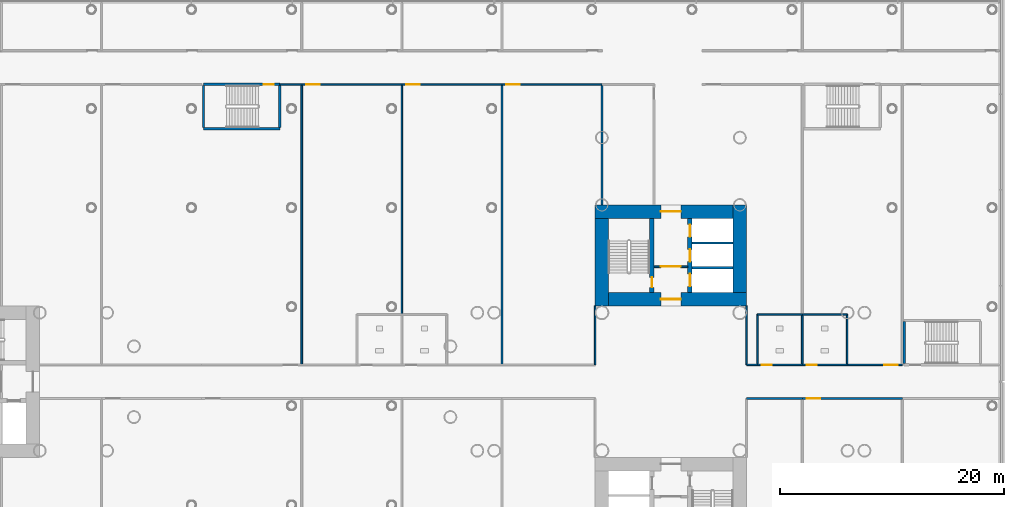
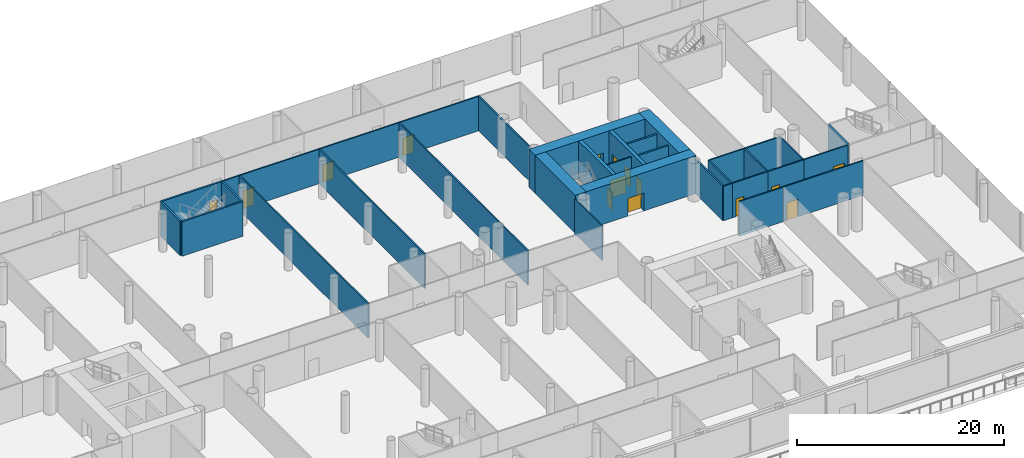
# One storey, part 22 of 51: 35 walls, 15 doors, 15 openings.
"""IFC4 building model written with IfcOpenShell, lengths in metres."""

from ifc_helpers import new_model, si_unit, direction, frame, frame_2d, origin, place, context, subcontext, project, spatial, rectangle, extrude, material, layer, layer_set, type_object, element, fill, save


model = new_model("IFC4")

# Units and contexts
model_context = context("Model", 3, precision=1e-05, world=origin(), true_north=direction((0.0, 1.0)))
body_context = subcontext(model_context, "Body", "Model", "MODEL_VIEW")
ifc_project = project(units=[si_unit("LENGTHUNIT", "METRE"), si_unit("AREAUNIT", "SQUARE_METRE"), si_unit("VOLUMEUNIT", "CUBIC_METRE"), si_unit("PLANEANGLEUNIT", "RADIAN"), si_unit("MASSUNIT", "GRAM", prefix="KILO")], contexts=[model_context])

# Site, building, storey
site_placement = place(None, origin())
site = spatial("IfcSite", under=ifc_project, at=site_placement, CompositionType="ELEMENT")
building_placement = place(site_placement, origin())
building = spatial("IfcBuilding", under=site, at=building_placement, Name="Ipe Terrace Towers", CompositionType="ELEMENT")
storey_placement = place(building_placement, frame((0.0, 0.0, 15.5)))
storey = spatial("IfcBuildingStorey", under=building, at=storey_placement, Name="L03", CompositionType="ELEMENT", Elevation=15.5)

# Wall, opening, door
ifc_material_1 = material(Name="Gypsum board partition", Category="plasterboard")
ifc_layer_1 = layer(ifc_material_1, 0.14990234375)
ifc_layer_set_1 = layer_set([ifc_layer_1], Name="Gypsum board partition 150 mm")
wall_type_1 = type_object("IfcWallType", Name="Gypsum board partition 150 mm", PredefinedType="PARTITIONING", material=ifc_layer_set_1)
wall_1_placement = place(storey_placement, frame((37.5, 10.25, 0.0), z_axis=(0.0, 0.0, 1.0), x_axis=(-1.0, 0.0, 0.0)))
wall_1 = element("IfcWall", 1, at=wall_1_placement, inside=storey, type_object=wall_type_1, Name="Gypsum board partition T2 L03 t2c1-lobby-wall", PredefinedType="PARTITIONING", context=body_context, shape_type="SweptSolid", body=[
    extrude(rectangle(XDim=3.0, YDim=0.14990234375, at=frame_2d((1.5, 0.0))), origin(), (0.0, 0.0, 1.0), 4.080078125),
])
opening_1_placement = place(wall_1_placement, frame((0.60009765625, 0.0, 0.0)))
opening_1 = element("IfcOpeningElement", 2, at=opening_1_placement, cuts=wall_1, Name="Opening T2C1-VD", PredefinedType="OPENING", context=body_context, shape_type="SweptSolid", body=[
    extrude(rectangle(XDim=1.800048828125, YDim=2.10009765625, at=frame_2d((0.89990234375, 1.050048828125))), frame((0.0, 0.0849609375, 0.0), z_axis=(0.0, -1.0, 0.0), x_axis=(1.0, 0.0, 0.0)), (0.0, 0.0, 1.0), 0.169921875),
])
ifc_material_2 = material(Name="Fire-rated timber door leaf", Category="wood")
door_type_1 = type_object("IfcDoorType", Name="Lobby door 1800 x 2100 FD60", OperationType="NOTDEFINED", PredefinedType="DOOR", material=ifc_material_2)
door_1_placement = place(opening_1_placement, origin())
door_1 = element("IfcDoor", 3, at=door_1_placement, inside=storey, type_object=door_type_1, Name="Lobby door T2C1-VD", OperationType="SINGLE_SWING_LEFT", OverallHeight=2.10009765625, OverallWidth=1.800048828125, PredefinedType="DOOR", context=body_context, shape_type="SweptSolid", body=[
    extrude(rectangle(XDim=1.800048828125, YDim=2.10009765625, at=frame_2d((0.89990234375, 1.050048828125))), frame((0.0, 0.02490234375, 0.0), z_axis=(0.0, -1.0, 0.0), x_axis=(1.0, 0.0, 0.0)), (0.0, 0.0, 1.0), 0.050048828125),
])
fill(opening_1, door_1)

# Walls
wall_2_placement = place(storey_placement, frame((1.14990234375, 26.5, 0.0), z_axis=(0.0, 0.0, 1.0), x_axis=(1.0, 0.0, 0.0)))
element("IfcWall", 4, at=wall_2_placement, inside=storey, type_object=wall_type_1, Name="Gypsum board partition T2 L03 pd-r31-w7", PredefinedType="PARTITIONING", context=body_context, shape_type="SweptSolid", body=[
    extrude(rectangle(XDim=1.960205078125, YDim=0.14990234375, at=frame_2d((0.97998046875, 0.0))), origin(), (0.0, 0.0, 1.0), 4.080078125),
])
wall_3_placement = place(storey_placement, frame((3.110107421875, 26.5, 0.0), z_axis=(0.0, 0.0, 1.0), x_axis=(0.0, -1.0, 0.0)))
element("IfcWall", 5, at=wall_3_placement, inside=storey, type_object=wall_type_1, Name="Gypsum board partition T2 L03 pd-r31-r32-w9", PredefinedType="PARTITIONING", context=body_context, shape_type="SweptSolid", body=[
    extrude(rectangle(XDim=25.0, YDim=0.14990234375, at=frame_2d((12.5, 0.0))), origin(), (0.0, 0.0, 1.0), 4.080078125),
])

# Wall, opening, door
wall_4_placement = place(storey_placement, frame((3.110107421875, 26.5, 0.0), z_axis=(0.0, 0.0, 1.0), x_axis=(1.0, 0.0, 0.0)))
wall_4 = element("IfcWall", 6, at=wall_4_placement, inside=storey, type_object=wall_type_1, Name="Gypsum board partition T2 L03 pd-r32-w11", PredefinedType="PARTITIONING", context=body_context, shape_type="SweptSolid", body=[
    extrude(rectangle(XDim=8.919921875, YDim=0.14990234375, at=frame_2d((4.4599609375, 0.0))), origin(), (0.0, 0.0, 1.0), 4.080078125),
])
opening_2_placement = place(wall_4_placement, frame((0.39990234375, 0.0, 0.0)))
opening_2 = element("IfcOpeningElement", 7, at=opening_2_placement, cuts=wall_4, Name="Opening PD-L03-r32", PredefinedType="OPENING", context=body_context, shape_type="SweptSolid", body=[
    extrude(rectangle(XDim=1.199951171875, YDim=2.10009765625, at=frame_2d((0.60009765625, 1.050048828125))), frame((0.0, 0.0849609375, 0.0), z_axis=(0.0, -1.0, 0.0), x_axis=(1.0, 0.0, 0.0)), (0.0, 0.0, 1.0), 0.169921875),
])
ifc_material_3 = material(Name="Fire-rated timber door leaf", Category="wood")
door_type_2 = type_object("IfcDoorType", Name="Lounge door 1200 x 2100 FD30S", OperationType="NOTDEFINED", PredefinedType="DOOR", material=ifc_material_3)
door_2_placement = place(opening_2_placement, origin())
door_2 = element("IfcDoor", 8, at=door_2_placement, inside=storey, type_object=door_type_2, Name="Lounge door PD-L03-r32", OperationType="SINGLE_SWING_RIGHT", OverallHeight=2.10009765625, OverallWidth=1.199951171875, PredefinedType="DOOR", context=body_context, shape_type="SweptSolid", body=[
    extrude(rectangle(XDim=1.199951171875, YDim=2.10009765625, at=frame_2d((0.60009765625, 1.050048828125))), frame((0.0, 0.02490234375, 0.0), z_axis=(0.0, -1.0, 0.0), x_axis=(1.0, 0.0, 0.0)), (0.0, 0.0, 1.0), 0.050048828125),
])
fill(opening_2, door_2)

# Wall
wall_5_placement = place(storey_placement, frame((12.030029296875, 26.5, 0.0), z_axis=(0.0, 0.0, 1.0), x_axis=(0.0, -1.0, 0.0)))
element("IfcWall", 9, at=wall_5_placement, inside=storey, type_object=wall_type_1, Name="Gypsum board partition T2 L03 pd-r32-r39-w12", PredefinedType="PARTITIONING", context=body_context, shape_type="SweptSolid", body=[
    extrude(rectangle(XDim=20.5, YDim=0.14990234375, at=frame_2d((10.25, 0.0))), origin(), (0.0, 0.0, 1.0), 4.080078125),
])

# Wall, opening, door
wall_6_placement = place(storey_placement, frame((12.030029296875, 26.5, 0.0), z_axis=(0.0, 0.0, 1.0), x_axis=(1.0, 0.0, 0.0)))
wall_6 = element("IfcWall", 10, at=wall_6_placement, inside=storey, type_object=wall_type_1, Name="Gypsum board partition T2 L03 pd-r39-w27", PredefinedType="PARTITIONING", context=body_context, shape_type="SweptSolid", body=[
    extrude(rectangle(XDim=8.919921875, YDim=0.14990234375, at=frame_2d((4.4599609375, 0.0))), origin(), (0.0, 0.0, 1.0), 4.080078125),
])
opening_3_placement = place(wall_6_placement, frame((0.39990234375, 0.0, 0.0)))
opening_3 = element("IfcOpeningElement", 11, at=opening_3_placement, cuts=wall_6, Name="Opening PD-L03-r39", PredefinedType="OPENING", context=body_context, shape_type="SweptSolid", body=[
    extrude(rectangle(XDim=1.199951171875, YDim=2.10009765625, at=frame_2d((0.60009765625, 1.050048828125))), frame((0.0, 0.0849609375, 0.0), z_axis=(0.0, -1.0, 0.0), x_axis=(1.0, 0.0, 0.0)), (0.0, 0.0, 1.0), 0.169921875),
])
door_3_placement = place(opening_3_placement, origin())
door_3 = element("IfcDoor", 12, at=door_3_placement, inside=storey, type_object=door_type_2, Name="Lounge door PD-L03-r39", OperationType="SINGLE_SWING_RIGHT", OverallHeight=2.10009765625, OverallWidth=1.199951171875, PredefinedType="DOOR", context=body_context, shape_type="SweptSolid", body=[
    extrude(rectangle(XDim=1.199951171875, YDim=2.10009765625, at=frame_2d((0.60009765625, 1.050048828125))), frame((0.0, 0.02490234375, 0.0), z_axis=(0.0, -1.0, 0.0), x_axis=(1.0, 0.0, 0.0)), (0.0, 0.0, 1.0), 0.050048828125),
])
fill(opening_3, door_3)

# Wall
wall_7_placement = place(storey_placement, frame((20.949951171875, 26.5, 0.0), z_axis=(0.0, 0.0, 1.0), x_axis=(0.0, -1.0, 0.0)))
element("IfcWall", 13, at=wall_7_placement, inside=storey, type_object=wall_type_1, Name="Gypsum board partition T2 L03 pd-r39-r41-w29", PredefinedType="PARTITIONING", context=body_context, shape_type="SweptSolid", body=[
    extrude(rectangle(XDim=25.0, YDim=0.14990234375, at=frame_2d((12.5, 0.0))), origin(), (0.0, 0.0, 1.0), 4.080078125),
])

# Wall, opening, door
wall_8_placement = place(storey_placement, frame((20.949951171875, 26.5, 0.0), z_axis=(0.0, 0.0, 1.0), x_axis=(1.0, 0.0, 0.0)))
wall_8 = element("IfcWall", 14, at=wall_8_placement, inside=storey, type_object=wall_type_1, Name="Gypsum board partition T2 L03 pd-r41-w34", PredefinedType="PARTITIONING", context=body_context, shape_type="SweptSolid", body=[
    extrude(rectangle(XDim=8.920166015625, YDim=0.14990234375, at=frame_2d((4.4599609375, 0.0))), origin(), (0.0, 0.0, 1.0), 4.080078125),
])
opening_4_placement = place(wall_8_placement, frame((0.39990234375, 0.0, 0.0)))
opening_4 = element("IfcOpeningElement", 15, at=opening_4_placement, cuts=wall_8, Name="Opening PD-L03-r41", PredefinedType="OPENING", context=body_context, shape_type="SweptSolid", body=[
    extrude(rectangle(XDim=1.199951171875, YDim=2.10009765625, at=frame_2d((0.60009765625, 1.050048828125))), frame((0.0, 0.0849609375, 0.0), z_axis=(0.0, -1.0, 0.0), x_axis=(1.0, 0.0, 0.0)), (0.0, 0.0, 1.0), 0.169921875),
])
door_4_placement = place(opening_4_placement, origin())
door_4 = element("IfcDoor", 16, at=door_4_placement, inside=storey, type_object=door_type_2, Name="Lounge door PD-L03-r41", OperationType="SINGLE_SWING_RIGHT", OverallHeight=2.10009765625, OverallWidth=1.199951171875, PredefinedType="DOOR", context=body_context, shape_type="SweptSolid", body=[
    extrude(rectangle(XDim=1.199951171875, YDim=2.10009765625, at=frame_2d((0.60009765625, 1.050048828125))), frame((0.0, 0.02490234375, 0.0), z_axis=(0.0, -1.0, 0.0), x_axis=(1.0, 0.0, 0.0)), (0.0, 0.0, 1.0), 0.050048828125),
])
fill(opening_4, door_4)

# Walls
wall_9_placement = place(storey_placement, frame((29.25, 6.75, 0.0), z_axis=(0.0, 0.0, 1.0), x_axis=(0.0, -1.0, 0.0)))
element("IfcWall", 17, at=wall_9_placement, inside=storey, type_object=wall_type_1, Name="Gypsum board partition T2 L03 pd-r41-w35", PredefinedType="PARTITIONING", context=body_context, shape_type="SweptSolid", body=[
    extrude(rectangle(XDim=5.25, YDim=0.14990234375, at=frame_2d((2.625, 0.0))), origin(), (0.0, 0.0, 1.0), 4.080078125),
])
wall_10_placement = place(storey_placement, frame((29.8701171875, 26.5, 0.0), z_axis=(0.0, 0.0, 1.0), x_axis=(0.0, -1.0, 0.0)))
element("IfcWall", 18, at=wall_10_placement, inside=storey, type_object=wall_type_1, Name="Gypsum board partition T2 L03 pd-r41-r46-w37", PredefinedType="PARTITIONING", context=body_context, shape_type="SweptSolid", body=[
    extrude(rectangle(XDim=10.75, YDim=0.14990234375, at=frame_2d((5.375, 0.0))), origin(), (0.0, 0.0, 1.0), 4.080078125),
])
wall_11_placement = place(storey_placement, frame((43.7099609375, 1.5, 0.0), z_axis=(0.0, 0.0, 1.0), x_axis=(-1.0, 0.0, 0.0)))
element("IfcWall", 19, at=wall_11_placement, inside=storey, type_object=wall_type_1, Name="Gypsum board partition T2 L03 pd-r49-w51", PredefinedType="PARTITIONING", context=body_context, shape_type="SweptSolid", body=[
    extrude(rectangle(XDim=0.9599609375, YDim=0.14990234375, at=frame_2d((0.47998046875, 0.0))), origin(), (0.0, 0.0, 1.0), 4.080078125),
])
wall_12_placement = place(storey_placement, frame((42.75, 1.5, 0.0), z_axis=(0.0, 0.0, 1.0), x_axis=(0.0, 1.0, 0.0)))
element("IfcWall", 20, at=wall_12_placement, inside=storey, type_object=wall_type_1, Name="Gypsum board partition T2 L03 pd-r49-w52", PredefinedType="PARTITIONING", context=body_context, shape_type="SweptSolid", body=[
    extrude(rectangle(XDim=5.25, YDim=0.14990234375, at=frame_2d((2.625, 0.0))), origin(), (0.0, 0.0, 1.0), 4.080078125),
])
wall_13_placement = place(storey_placement, frame((42.75, -1.5, 0.0), z_axis=(0.0, 0.0, 1.0), x_axis=(1.0, 0.0, 0.0)))
element("IfcWall", 21, at=wall_13_placement, inside=storey, type_object=wall_type_1, Name="Gypsum board partition T2 L03 pd-r50-w56", PredefinedType="PARTITIONING", context=body_context, shape_type="SweptSolid", body=[
    extrude(rectangle(XDim=4.9599609375, YDim=0.14990234375, at=frame_2d((2.47998046875, 0.0))), origin(), (0.0, 0.0, 1.0), 4.080078125),
])

# Wall, opening, door
wall_14_placement = place(storey_placement, frame((47.7099609375, -1.5, 0.0), z_axis=(0.0, 0.0, 1.0), x_axis=(1.0, 0.0, 0.0)))
wall_14 = element("IfcWall", 22, at=wall_14_placement, inside=storey, type_object=wall_type_1, Name="Gypsum board partition T2 L03 pd-r53-w64", PredefinedType="PARTITIONING", context=body_context, shape_type="SweptSolid", body=[
    extrude(rectangle(XDim=8.919921875, YDim=0.14990234375, at=frame_2d((4.4599609375, 0.0))), origin(), (0.0, 0.0, 1.0), 4.080078125),
])
opening_5_placement = place(wall_14_placement, frame((0.39990234375, 0.0, 0.0)))
opening_5 = element("IfcOpeningElement", 23, at=opening_5_placement, cuts=wall_14, Name="Opening PD-L03-r53", PredefinedType="OPENING", context=body_context, shape_type="SweptSolid", body=[
    extrude(rectangle(XDim=1.199951171875, YDim=2.10009765625, at=frame_2d((0.60009765625, 1.050048828125))), frame((0.0, 0.0849609375, 0.0), z_axis=(0.0, -1.0, 0.0), x_axis=(1.0, 0.0, 0.0)), (0.0, 0.0, 1.0), 0.169921875),
])
door_5_placement = place(opening_5_placement, origin())
door_5 = element("IfcDoor", 24, at=door_5_placement, inside=storey, type_object=door_type_2, Name="Lounge door PD-L03-r53", OperationType="SINGLE_SWING_RIGHT", OverallHeight=2.10009765625, OverallWidth=1.199951171875, PredefinedType="DOOR", context=body_context, shape_type="SweptSolid", body=[
    extrude(rectangle(XDim=1.199951171875, YDim=2.10009765625, at=frame_2d((0.60009765625, 1.050048828125))), frame((0.0, 0.02490234375, 0.0), z_axis=(0.0, -1.0, 0.0), x_axis=(1.0, 0.0, 0.0)), (0.0, 0.0, 1.0), 0.050048828125),
])
fill(opening_5, door_5)

wall_15_placement = place(storey_placement, frame((56.6298828125, 1.5, 0.0), z_axis=(0.0, 0.0, 1.0), x_axis=(-1.0, 0.0, 0.0)))
wall_15 = element("IfcWall", 25, at=wall_15_placement, inside=storey, type_object=wall_type_1, Name="Gypsum board partition T2 L03 pd-r54-w67", PredefinedType="PARTITIONING", context=body_context, shape_type="SweptSolid", body=[
    extrude(rectangle(XDim=4.919921875, YDim=0.14990234375, at=frame_2d((2.4599609375, 0.0))), origin(), (0.0, 0.0, 1.0), 4.080078125),
])
opening_6_placement = place(wall_15_placement, frame((0.39990234375, 0.0, 0.0)))
opening_6 = element("IfcOpeningElement", 26, at=opening_6_placement, cuts=wall_15, Name="Opening PD-L03-r54", PredefinedType="OPENING", context=body_context, shape_type="SweptSolid", body=[
    extrude(rectangle(XDim=1.199951171875, YDim=2.10009765625, at=frame_2d((0.60009765625, 1.050048828125))), frame((0.0, 0.0849609375, 0.0), z_axis=(0.0, -1.0, 0.0), x_axis=(1.0, 0.0, 0.0)), (0.0, 0.0, 1.0), 0.169921875),
])
door_6_placement = place(opening_6_placement, origin())
door_6 = element("IfcDoor", 27, at=door_6_placement, inside=storey, type_object=door_type_2, Name="Lounge door PD-L03-r54", OperationType="SINGLE_SWING_RIGHT", OverallHeight=2.10009765625, OverallWidth=1.199951171875, PredefinedType="DOOR", context=body_context, shape_type="SweptSolid", body=[
    extrude(rectangle(XDim=1.199951171875, YDim=2.10009765625, at=frame_2d((0.60009765625, 1.050048828125))), frame((0.0, 0.02490234375, 0.0), z_axis=(0.0, -1.0, 0.0), x_axis=(1.0, 0.0, 0.0)), (0.0, 0.0, 1.0), 0.050048828125),
])
fill(opening_6, door_6)

wall_16_placement = place(storey_placement, frame((43.7099609375, 1.5, 0.0), z_axis=(0.0, 0.0, 1.0), x_axis=(1.0, 0.0, 0.0)))
wall_16 = element("IfcWall", 28, at=wall_16_placement, inside=storey, type_object=wall_type_1, Name="Gypsum board partition T2 L03 pd-c3-w82", PredefinedType="PARTITIONING", context=body_context, shape_type="SweptSolid", body=[
    extrude(rectangle(XDim=4.0, YDim=0.14990234375, at=frame_2d((2.0, 0.0))), origin(), (0.0, 0.0, 1.0), 4.080078125),
])
opening_7_placement = place(wall_16_placement, frame((0.39990234375, 0.0, 0.0)))
opening_7 = element("IfcOpeningElement", 29, at=opening_7_placement, cuts=wall_16, Name="Opening PD-L03-c3", PredefinedType="OPENING", context=body_context, shape_type="SweptSolid", body=[
    extrude(rectangle(XDim=0.89990234375, YDim=2.10009765625, at=frame_2d((0.449951171875, 1.050048828125))), frame((0.0, 0.0849609375, 0.0), z_axis=(0.0, -1.0, 0.0), x_axis=(1.0, 0.0, 0.0)), (0.0, 0.0, 1.0), 0.169921875),
])
ifc_material_4 = material(Name="Fire-rated timber door leaf", Category="wood")
door_type_3 = type_object("IfcDoorType", Name="Lounge door 900 x 2100 FD30S", OperationType="NOTDEFINED", PredefinedType="DOOR", material=ifc_material_4)
door_7_placement = place(opening_7_placement, origin())
door_7 = element("IfcDoor", 30, at=door_7_placement, inside=storey, type_object=door_type_3, Name="Lounge door PD-L03-c3", OperationType="SINGLE_SWING_LEFT", OverallHeight=2.10009765625, OverallWidth=0.89990234375, PredefinedType="DOOR", context=body_context, shape_type="SweptSolid", body=[
    extrude(rectangle(XDim=0.89990234375, YDim=2.10009765625, at=frame_2d((0.449951171875, 1.050048828125))), frame((0.0, 0.02490234375, 0.0), z_axis=(0.0, -1.0, 0.0), x_axis=(1.0, 0.0, 0.0)), (0.0, 0.0, 1.0), 0.050048828125),
])
fill(opening_7, door_7)

# Walls
wall_17_placement = place(storey_placement, frame((47.7099609375, 6.0, 0.0), z_axis=(0.0, 0.0, 1.0), x_axis=(-1.0, 0.0, 0.0)))
element("IfcWall", 31, at=wall_17_placement, inside=storey, type_object=wall_type_1, Name="Gypsum board partition T2 L03 pd-c3-r49-w83", PredefinedType="PARTITIONING", context=body_context, shape_type="SweptSolid", body=[
    extrude(rectangle(XDim=4.0, YDim=0.14990234375, at=frame_2d((2.0, 0.0))), origin(), (0.0, 0.0, 1.0), 4.080078125),
])
for number, where, z_axis, x_axis, name in (
    (32, (43.7099609375, 6.0, 0.0), (0.0, 0.0, 1.0), (0.0, -1.0, 0.0), "Gypsum board partition T2 L03 pd-c3-r49-w84"),
    (33, (47.7099609375, 1.5, 0.0), (0.0, 0.0, 1.0), (0.0, 1.0, 0.0), "Gypsum board partition T2 L03 pd-c3-c4-w85"),
):
    element("IfcWall", number, at=place(storey_placement, frame(where, z_axis=z_axis, x_axis=x_axis)), inside=storey, type_object=wall_type_1, Name=name, PredefinedType="PARTITIONING", context=body_context, shape_type="SweptSolid", body=[
        extrude(rectangle(XDim=4.5, YDim=0.14990234375, at=frame_2d((2.25, 0.0))), origin(), (0.0, 0.0, 1.0), 4.080078125),
    ])

# Wall, opening, door
wall_18_placement = place(storey_placement, frame((47.7099609375, 1.5, 0.0), z_axis=(0.0, 0.0, 1.0), x_axis=(1.0, 0.0, 0.0)))
wall_18 = element("IfcWall", 34, at=wall_18_placement, inside=storey, type_object=wall_type_1, Name="Gypsum board partition T2 L03 pd-c4-w86", PredefinedType="PARTITIONING", context=body_context, shape_type="SweptSolid", body=[
    extrude(rectangle(XDim=4.0, YDim=0.14990234375, at=frame_2d((2.0, 0.0))), origin(), (0.0, 0.0, 1.0), 4.080078125),
])
opening_8_placement = place(wall_18_placement, frame((0.39990234375, 0.0, 0.0)))
opening_8 = element("IfcOpeningElement", 35, at=opening_8_placement, cuts=wall_18, Name="Opening PD-L03-c4", PredefinedType="OPENING", context=body_context, shape_type="SweptSolid", body=[
    extrude(rectangle(XDim=0.89990234375, YDim=2.10009765625, at=frame_2d((0.449951171875, 1.050048828125))), frame((0.0, 0.0849609375, 0.0), z_axis=(0.0, -1.0, 0.0), x_axis=(1.0, 0.0, 0.0)), (0.0, 0.0, 1.0), 0.169921875),
])
door_8_placement = place(opening_8_placement, origin())
door_8 = element("IfcDoor", 36, at=door_8_placement, inside=storey, type_object=door_type_3, Name="Lounge door PD-L03-c4", OperationType="SINGLE_SWING_LEFT", OverallHeight=2.10009765625, OverallWidth=0.89990234375, PredefinedType="DOOR", context=body_context, shape_type="SweptSolid", body=[
    extrude(rectangle(XDim=0.89990234375, YDim=2.10009765625, at=frame_2d((0.449951171875, 1.050048828125))), frame((0.0, 0.02490234375, 0.0), z_axis=(0.0, -1.0, 0.0), x_axis=(1.0, 0.0, 0.0)), (0.0, 0.0, 1.0), 0.050048828125),
])
fill(opening_8, door_8)

# Walls
wall_19_placement = place(storey_placement, frame((51.7099609375, 1.5, 0.0), z_axis=(0.0, 0.0, 1.0), x_axis=(0.0, 1.0, 0.0)))
element("IfcWall", 37, at=wall_19_placement, inside=storey, type_object=wall_type_1, Name="Gypsum board partition T2 L03 pd-c4-r54-w87", PredefinedType="PARTITIONING", context=body_context, shape_type="SweptSolid", body=[
    extrude(rectangle(XDim=4.5, YDim=0.14990234375, at=frame_2d((2.25, 0.0))), origin(), (0.0, 0.0, 1.0), 4.080078125),
])
wall_20_placement = place(storey_placement, frame((51.7099609375, 6.0, 0.0), z_axis=(0.0, 0.0, 1.0), x_axis=(-1.0, 0.0, 0.0)))
element("IfcWall", 38, at=wall_20_placement, inside=storey, type_object=wall_type_1, Name="Gypsum board partition T2 L03 pd-c4-r54-w88", PredefinedType="PARTITIONING", context=body_context, shape_type="SweptSolid", body=[
    extrude(rectangle(XDim=4.0, YDim=0.14990234375, at=frame_2d((2.0, 0.0))), origin(), (0.0, 0.0, 1.0), 4.080078125),
])
ifc_material_5 = material(Name="Gypsum board party wall", Category="plasterboard")
ifc_layer_2 = layer(ifc_material_5, 0.199951171875)
ifc_layer_set_2 = layer_set([ifc_layer_2], Name="Gypsum board party wall 200 mm")
wall_type_2 = type_object("IfcWallType", Name="Gypsum board party wall 200 mm", PredefinedType="SOLIDWALL", material=ifc_layer_set_2)
for number, where, z_axis, x_axis, name in (
    (39, (41.550048828125, 10.14990234375, 0.0), (0.0, 0.0, 1.0), (-1.0, 0.0, 0.0), "Gypsum board party wall T2 L03 t2c1-shaft-div1"),
    (40, (41.550048828125, 12.35009765625, 0.0), (0.0, 0.0, 1.0), (-1.0, 0.0, 0.0), "Gypsum board party wall T2 L03 t2c1-shaft-div2"),
):
    element("IfcWall", number, at=place(storey_placement, frame(where, z_axis=z_axis, x_axis=x_axis)), inside=storey, type_object=wall_type_2, Name=name, PredefinedType="SOLIDWALL", context=body_context, shape_type="SweptSolid", body=[
        extrude(rectangle(XDim=3.650146484375, YDim=0.199951171875, at=frame_2d((1.8251953125, 0.0))), origin(), (0.0, 0.0, 1.0), 4.080078125),
    ])

# Wall, opening, door
ifc_material_6 = material(Name="Concrete C60/75", Category="concrete")
ifc_layer_3 = layer(ifc_material_6, 1.199951171875)
ifc_layer_set_3 = layer_set([ifc_layer_3], Name="RW1200 CORE WALL 1200 C60-75")
wall_type_3 = type_object("IfcWallType", Name="RW1200 CORE WALL 1200 C60-75", PredefinedType="SHEAR", material=ifc_layer_set_3)
wall_21_placement = place(storey_placement, frame((30.449951171875, 7.35009765625, 0.0), z_axis=(0.0, 0.0, 1.0), x_axis=(1.0, 0.0, 0.0)))
wall_21 = element("IfcWall", 41, at=wall_21_placement, inside=storey, type_object=wall_type_3, Name="Core wall T2-C1-P-W01", PredefinedType="SHEAR", context=body_context, shape_type="SweptSolid", body=[
    extrude(rectangle(XDim=12.300048828125, YDim=1.199951171875, at=frame_2d((6.14990234375, 0.0))), origin(), (0.0, 0.0, 1.0), 4.5),
])
opening_9_placement = place(wall_21_placement, frame((4.64990234375, 0.0, 0.0)))
opening_9 = element("IfcOpeningElement", 42, at=opening_9_placement, cuts=wall_21, Name="Opening T2C1-ND", PredefinedType="OPENING", context=body_context, shape_type="SweptSolid", body=[
    extrude(rectangle(XDim=1.800048828125, YDim=2.10009765625, at=frame_2d((0.89990234375, 1.050048828125))), frame((0.0, 0.60986328125, 0.0), z_axis=(0.0, -1.0, 0.0), x_axis=(1.0, 0.0, 0.0)), (0.0, 0.0, 1.0), 1.219970703125),
])
ifc_material_7 = material(Name="Fire-rated timber door leaf", Category="wood")
door_type_4 = type_object("IfcDoorType", Name="Fire door 1800 x 2100 FD30S", OperationType="NOTDEFINED", PredefinedType="DOOR", material=ifc_material_7)
door_9_placement = place(opening_9_placement, origin())
door_9 = element("IfcDoor", 43, at=door_9_placement, inside=storey, type_object=door_type_4, Name="Fire door T2C1-ND", OperationType="SINGLE_SWING_LEFT", OverallHeight=2.10009765625, OverallWidth=1.800048828125, PredefinedType="DOOR", context=body_context, shape_type="SweptSolid", body=[
    extrude(rectangle(XDim=1.800048828125, YDim=2.10009765625, at=frame_2d((0.89990234375, 1.050048828125))), frame((0.0, 0.02490234375, 0.0), z_axis=(0.0, -1.0, 0.0), x_axis=(1.0, 0.0, 0.0)), (0.0, 0.0, 1.0), 0.050048828125),
])
fill(opening_9, door_9)

# Wall
wall_22_placement = place(storey_placement, frame((42.14990234375, 7.949951171875, 0.0), z_axis=(0.0, 0.0, 1.0), x_axis=(0.0, 1.0, 0.0)))
element("IfcWall", 44, at=wall_22_placement, inside=storey, type_object=wall_type_3, Name="Core wall T2-C1-P-W02", PredefinedType="SHEAR", context=body_context, shape_type="SweptSolid", body=[
    extrude(rectangle(XDim=7.800048828125, YDim=1.199951171875, at=frame_2d((3.89990234375, 0.0))), origin(), (0.0, 0.0, 1.0), 4.5),
])

# Wall, opening, door
wall_23_placement = place(storey_placement, frame((41.550048828125, 15.14990234375, 0.0), z_axis=(0.0, 0.0, 1.0), x_axis=(-1.0, 0.0, 0.0)))
wall_23 = element("IfcWall", 45, at=wall_23_placement, inside=storey, type_object=wall_type_3, Name="Core wall T2-C1-P-W03", PredefinedType="SHEAR", context=body_context, shape_type="SweptSolid", body=[
    extrude(rectangle(XDim=12.300048828125, YDim=1.199951171875, at=frame_2d((6.14990234375, 0.0))), origin(), (0.0, 0.0, 1.0), 4.5),
])
opening_10_placement = place(wall_23_placement, frame((4.64990234375, 0.0, 0.0)))
opening_10 = element("IfcOpeningElement", 46, at=opening_10_placement, cuts=wall_23, Name="Opening T2C1-FD", PredefinedType="OPENING", context=body_context, shape_type="SweptSolid", body=[
    extrude(rectangle(XDim=1.800048828125, YDim=2.10009765625, at=frame_2d((0.89990234375, 1.050048828125))), frame((0.0, 0.60986328125, 0.0), z_axis=(0.0, -1.0, 0.0), x_axis=(1.0, 0.0, 0.0)), (0.0, 0.0, 1.0), 1.219970703125),
])
door_10_placement = place(opening_10_placement, origin())
door_10 = element("IfcDoor", 47, at=door_10_placement, inside=storey, type_object=door_type_4, Name="Fire door T2C1-FD", OperationType="SINGLE_SWING_LEFT", OverallHeight=2.10009765625, OverallWidth=1.800048828125, PredefinedType="DOOR", context=body_context, shape_type="SweptSolid", body=[
    extrude(rectangle(XDim=1.800048828125, YDim=2.10009765625, at=frame_2d((0.89990234375, 1.050048828125))), frame((0.0, 0.02490234375, 0.0), z_axis=(0.0, -1.0, 0.0), x_axis=(1.0, 0.0, 0.0)), (0.0, 0.0, 1.0), 0.050048828125),
])
fill(opening_10, door_10)

# Wall
wall_24_placement = place(storey_placement, frame((29.85009765625, 14.550048828125, 0.0), z_axis=(0.0, 0.0, 1.0), x_axis=(0.0, -1.0, 0.0)))
element("IfcWall", 48, at=wall_24_placement, inside=storey, type_object=wall_type_3, Name="Core wall T2-C1-P-W04", PredefinedType="SHEAR", context=body_context, shape_type="SweptSolid", body=[
    extrude(rectangle(XDim=7.800048828125, YDim=1.199951171875, at=frame_2d((3.89990234375, 0.0))), origin(), (0.0, 0.0, 1.0), 4.5),
])

# Wall, opening, door
ifc_material_8 = material(Name="Concrete C40/50", Category="concrete")
ifc_layer_4 = layer(ifc_material_8, 0.199951171875)
ifc_layer_set_4 = layer_set([ifc_layer_4], Name="RW200 PODIUM STAIR SHAFT WALL 200 C40-50")
wall_type_4 = type_object("IfcWallType", Name="RW200 PODIUM STAIR SHAFT WALL 200 C40-50", PredefinedType="SHEAR", material=ifc_layer_set_4)
wall_25_placement = place(storey_placement, frame((-5.64990234375, 26.5, 0.0), z_axis=(0.0, 0.0, 1.0), x_axis=(1.0, 0.0, 0.0)))
wall_25 = element("IfcWall", 49, at=wall_25_placement, inside=storey, type_object=wall_type_4, Name="Stair shaft wall T1 L03 ps2-c", PredefinedType="SHEAR", context=body_context, shape_type="SweptSolid", body=[
    extrude(rectangle(XDim=6.7998046875, YDim=0.199951171875, at=frame_2d((3.39990234375, 0.0))), origin(), (0.0, 0.0, 1.0), 4.080078125),
])
opening_11_placement = place(wall_25_placement, frame((5.35009765625, 0.0, 0.0)))
opening_11 = element("IfcOpeningElement", 50, at=opening_11_placement, cuts=wall_25, Name="Opening PS2-SD", PredefinedType="OPENING", context=body_context, shape_type="SweptSolid", body=[
    extrude(rectangle(XDim=0.89990234375, YDim=2.10009765625, at=frame_2d((0.449951171875, 1.050048828125))), frame((0.0, 0.10986328125, 0.0), z_axis=(0.0, -1.0, 0.0), x_axis=(1.0, 0.0, 0.0)), (0.0, 0.0, 1.0), 0.219970703125),
])
ifc_material_9 = material(Name="Fire-rated timber door leaf", Category="wood")
door_type_5 = type_object("IfcDoorType", Name="Stair door 900 x 2100 FD60", OperationType="NOTDEFINED", PredefinedType="DOOR", material=ifc_material_9)
door_11_placement = place(opening_11_placement, origin())
door_11 = element("IfcDoor", 51, at=door_11_placement, inside=storey, type_object=door_type_5, Name="Stair door PS2-SD", OperationType="SINGLE_SWING_LEFT", OverallHeight=2.10009765625, OverallWidth=0.89990234375, PredefinedType="DOOR", context=body_context, shape_type="SweptSolid", body=[
    extrude(rectangle(XDim=0.89990234375, YDim=2.10009765625, at=frame_2d((0.449951171875, 1.050048828125))), frame((0.0, 0.02490234375, 0.0), z_axis=(0.0, -1.0, 0.0), x_axis=(1.0, 0.0, 0.0)), (0.0, 0.0, 1.0), 0.050048828125),
])
fill(opening_11, door_11)

# Walls
wall_26_placement = place(storey_placement, frame((-5.64990234375, 22.550048828125, 0.0), z_axis=(0.0, 0.0, 1.0), x_axis=(1.0, 0.0, 0.0)))
element("IfcWall", 52, at=wall_26_placement, inside=storey, type_object=wall_type_4, Name="Stair shaft wall T1 L03 ps2-f", PredefinedType="SHEAR", context=body_context, shape_type="SweptSolid", body=[
    extrude(rectangle(XDim=6.7998046875, YDim=0.199951171875, at=frame_2d((3.39990234375, 0.0))), origin(), (0.0, 0.0, 1.0), 4.080078125),
])
for number, where, z_axis, x_axis, name in (
    (53, (-5.64990234375, 22.64990234375, 0.0), (0.0, 0.0, 1.0), (0.0, 1.0, 0.0), "Stair shaft wall T1 L03 ps2-w"),
    (54, (1.14990234375, 22.64990234375, 0.0), (0.0, 0.0, 1.0), (0.0, 1.0, 0.0), "Stair shaft wall T1 L03 ps2-e"),
    (55, (56.7900390625, 1.60009765625, 0.0), (0.0, 0.0, 1.0), (0.0, 1.0, 0.0), "Stair shaft wall T2 L03 ps8-w"),
):
    element("IfcWall", number, at=place(storey_placement, frame(where, z_axis=z_axis, x_axis=x_axis)), inside=storey, type_object=wall_type_4, Name=name, PredefinedType="SHEAR", context=body_context, shape_type="SweptSolid", body=[
        extrude(rectangle(XDim=3.75, YDim=0.199951171875, at=frame_2d((1.875, 0.0))), origin(), (0.0, 0.0, 1.0), 4.080078125),
    ])

# Wall, opening, door
ifc_material_10 = material(Name="Concrete C60/75", Category="concrete")
ifc_layer_5 = layer(ifc_material_10, 0.39990234375)
ifc_layer_set_5 = layer_set([ifc_layer_5], Name="RW400 CORE SPINE WALL 400 C60-75")
wall_type_5 = type_object("IfcWallType", Name="RW400 CORE SPINE WALL 400 C60-75", PredefinedType="SHEAR", material=ifc_layer_set_5)
wall_27_placement = place(storey_placement, frame((34.300048828125, 7.949951171875, 0.0), z_axis=(0.0, 0.0, 1.0), x_axis=(0.0, 1.0, 0.0)))
wall_27 = element("IfcWall", 56, at=wall_27_placement, inside=storey, type_object=wall_type_5, Name="Core spine wall T2-C1-P-SW1", PredefinedType="SHEAR", context=body_context, shape_type="SweptSolid", body=[
    extrude(rectangle(XDim=6.60009765625, YDim=0.39990234375, at=frame_2d((3.300048828125, 0.0))), origin(), (0.0, 0.0, 1.0), 4.5),
])
opening_12_placement = place(wall_27_placement, frame((0.449951171875, 0.0, 0.0)))
opening_12 = element("IfcOpeningElement", 57, at=opening_12_placement, cuts=wall_27, Name="Opening T2C1-SD", PredefinedType="OPENING", context=body_context, shape_type="SweptSolid", body=[
    extrude(rectangle(XDim=0.89990234375, YDim=2.10009765625, at=frame_2d((0.449951171875, 1.050048828125))), frame((0.0, 0.2099609375, 0.0), z_axis=(0.0, -1.0, 0.0), x_axis=(1.0, 0.0, 0.0)), (0.0, 0.0, 1.0), 0.419921875),
])
door_12_placement = place(opening_12_placement, origin())
door_12 = element("IfcDoor", 58, at=door_12_placement, inside=storey, type_object=door_type_5, Name="Stair door T2C1-SD", OperationType="SINGLE_SWING_LEFT", OverallHeight=2.10009765625, OverallWidth=0.89990234375, PredefinedType="DOOR", context=body_context, shape_type="SweptSolid", body=[
    extrude(rectangle(XDim=0.89990234375, YDim=2.10009765625, at=frame_2d((0.449951171875, 1.050048828125))), frame((0.0, 0.02490234375, 0.0), z_axis=(0.0, -1.0, 0.0), x_axis=(1.0, 0.0, 0.0)), (0.0, 0.0, 1.0), 0.050048828125),
])
fill(opening_12, door_12)

# Wall, openings, doors
wall_28_placement = place(storey_placement, frame((37.699951171875, 7.949951171875, 0.0), z_axis=(0.0, 0.0, 1.0), x_axis=(0.0, 1.0, 0.0)))
wall_28 = element("IfcWall", 59, at=wall_28_placement, inside=storey, type_object=wall_type_5, Name="Core spine wall T2-C1-P-SW2", PredefinedType="SHEAR", context=body_context, shape_type="SweptSolid", body=[
    extrude(rectangle(XDim=6.60009765625, YDim=0.39990234375, at=frame_2d((3.300048828125, 0.0))), origin(), (0.0, 0.0, 1.0), 4.5),
])
opening_13_placement = place(wall_28_placement, frame((0.550048828125, 0.0, 0.0)))
opening_13 = element("IfcOpeningElement", 60, at=opening_13_placement, cuts=wall_28, Name="Opening T2C1-LD1", PredefinedType="OPENING", context=body_context, shape_type="SweptSolid", body=[
    extrude(rectangle(XDim=1.10009765625, YDim=2.10009765625, at=frame_2d((0.550048828125, 1.050048828125))), frame((0.0, 0.2099609375, 0.0), z_axis=(0.0, -1.0, 0.0), x_axis=(1.0, 0.0, 0.0)), (0.0, 0.0, 1.0), 0.419921875),
])
opening_14_placement = place(wall_28_placement, frame((2.75, 0.0, 0.0)))
opening_14 = element("IfcOpeningElement", 61, at=opening_14_placement, cuts=wall_28, Name="Opening T2C1-LD2", PredefinedType="OPENING", context=body_context, shape_type="SweptSolid", body=[
    extrude(rectangle(XDim=1.10009765625, YDim=2.10009765625, at=frame_2d((0.550048828125, 1.050048828125))), frame((0.0, 0.2099609375, 0.0), z_axis=(0.0, -1.0, 0.0), x_axis=(1.0, 0.0, 0.0)), (0.0, 0.0, 1.0), 0.419921875),
])
opening_15_placement = place(wall_28_placement, frame((4.949951171875, 0.0, 0.0)))
opening_15 = element("IfcOpeningElement", 62, at=opening_15_placement, cuts=wall_28, Name="Opening T2C1-LD3", PredefinedType="OPENING", context=body_context, shape_type="SweptSolid", body=[
    extrude(rectangle(XDim=1.10009765625, YDim=2.10009765625, at=frame_2d((0.550048828125, 1.050048828125))), frame((0.0, 0.2099609375, 0.0), z_axis=(0.0, -1.0, 0.0), x_axis=(1.0, 0.0, 0.0)), (0.0, 0.0, 1.0), 0.419921875),
])
ifc_material_11 = material(Name="Fire-rated timber door leaf", Category="wood")
door_type_6 = type_object("IfcDoorType", Name="Sliding door 1100 x 2100 FD60", OperationType="SLIDING_TO_LEFT", PredefinedType="DOOR", material=ifc_material_11)
door_13_placement = place(opening_13_placement, origin())
door_13 = element("IfcDoor", 63, at=door_13_placement, inside=storey, type_object=door_type_6, Name="Sliding door T2C1-LD1", OperationType="SLIDING_TO_LEFT", OverallHeight=2.10009765625, OverallWidth=1.10009765625, PredefinedType="DOOR", context=body_context, shape_type="SweptSolid", body=[
    extrude(rectangle(XDim=1.10009765625, YDim=2.10009765625, at=frame_2d((0.550048828125, 1.050048828125))), frame((0.0, 0.02490234375, 0.0), z_axis=(0.0, -1.0, 0.0), x_axis=(1.0, 0.0, 0.0)), (0.0, 0.0, 1.0), 0.050048828125),
])
fill(opening_13, door_13)
door_14_placement = place(opening_14_placement, origin())
door_14 = element("IfcDoor", 64, at=door_14_placement, inside=storey, type_object=door_type_6, Name="Sliding door T2C1-LD2", OperationType="SLIDING_TO_LEFT", OverallHeight=2.10009765625, OverallWidth=1.10009765625, PredefinedType="DOOR", context=body_context, shape_type="SweptSolid", body=[
    extrude(rectangle(XDim=1.10009765625, YDim=2.10009765625, at=frame_2d((0.550048828125, 1.050048828125))), frame((0.0, 0.02490234375, 0.0), z_axis=(0.0, -1.0, 0.0), x_axis=(1.0, 0.0, 0.0)), (0.0, 0.0, 1.0), 0.050048828125),
])
fill(opening_14, door_14)
door_15_placement = place(opening_15_placement, origin())
door_15 = element("IfcDoor", 65, at=door_15_placement, inside=storey, type_object=door_type_6, Name="Sliding door T2C1-LD3", OperationType="SLIDING_TO_LEFT", OverallHeight=2.10009765625, OverallWidth=1.10009765625, PredefinedType="DOOR", context=body_context, shape_type="SweptSolid", body=[
    extrude(rectangle(XDim=1.10009765625, YDim=2.10009765625, at=frame_2d((0.550048828125, 1.050048828125))), frame((0.0, 0.02490234375, 0.0), z_axis=(0.0, -1.0, 0.0), x_axis=(1.0, 0.0, 0.0)), (0.0, 0.0, 1.0), 0.050048828125),
])
fill(opening_15, door_15)

save(model, "model.ifc")
